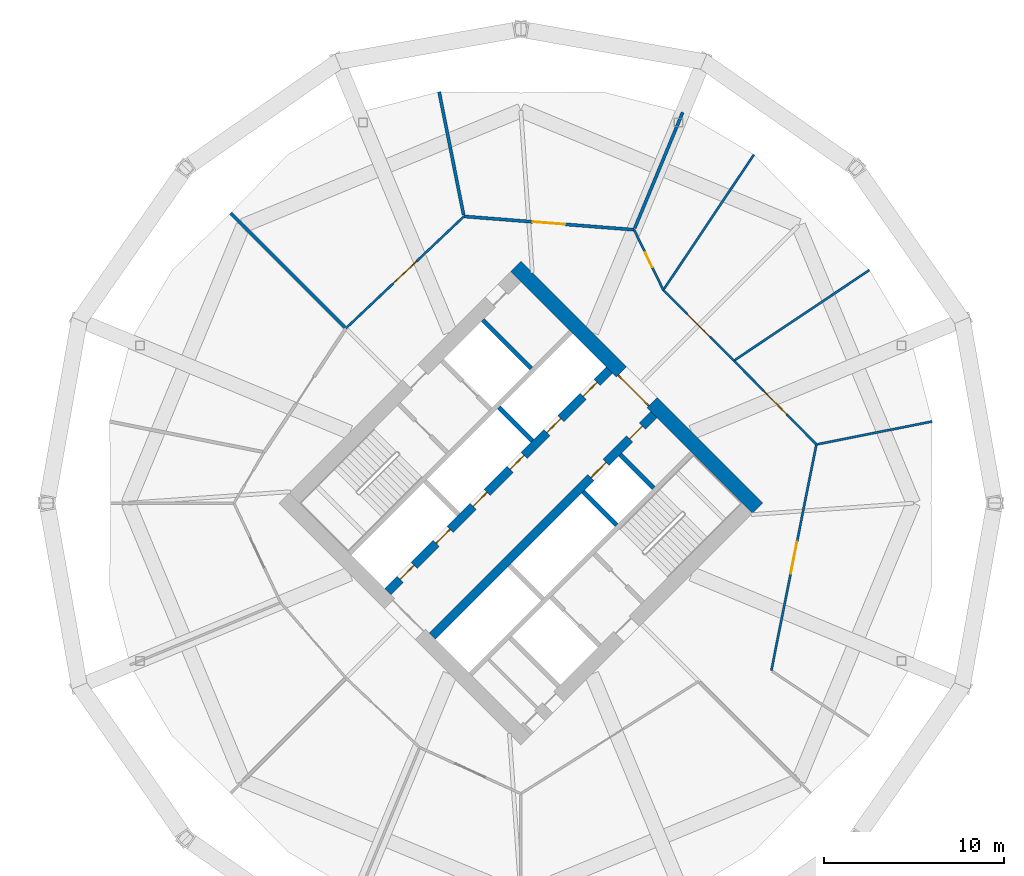
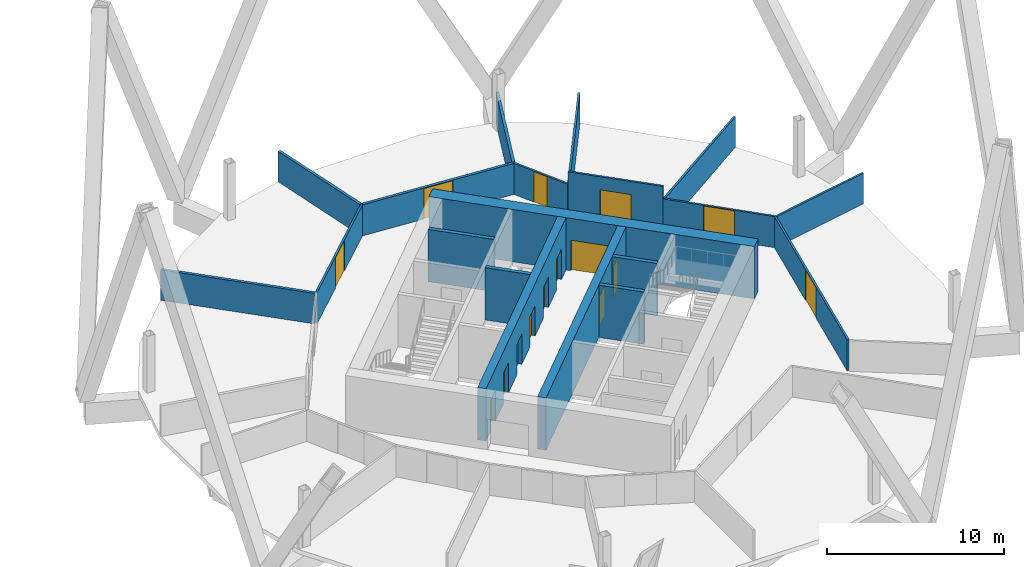
# One storey, part 7 of 9: 19 walls, 15 doors, 15 openings.
"""IFC4 building model written with IfcOpenShell, lengths in metres."""

from ifc_helpers import new_model, si_unit, direction, frame, frame_2d, origin, place, context, subcontext, project, spatial, rectangle, extrude, material, layer, layer_set, type_object, element, fill, save


model = new_model("IFC4")

# Units and contexts
model_context = context("Model", 3, precision=1e-05, world=origin(), true_north=direction((0.0, 1.0)))
body_context = subcontext(model_context, "Body", "Model", "MODEL_VIEW")
ifc_project = project(units=[si_unit("LENGTHUNIT", "METRE"), si_unit("AREAUNIT", "SQUARE_METRE"), si_unit("VOLUMEUNIT", "CUBIC_METRE"), si_unit("PLANEANGLEUNIT", "RADIAN"), si_unit("MASSUNIT", "GRAM", prefix="KILO")], contexts=[model_context])

# Site, building, storey
site_placement = place(None, origin())
site = spatial("IfcSite", under=ifc_project, at=site_placement, CompositionType="ELEMENT")
building_placement = place(site_placement, origin())
building = spatial("IfcBuilding", under=site, at=building_placement, Name="Ogive Gate Towers", CompositionType="ELEMENT")
storey_placement = place(building_placement, frame((0.0, 0.0, 51.89990234375)))
storey = spatial("IfcBuildingStorey", under=building, at=storey_placement, Name="L11", CompositionType="ELEMENT", Elevation=51.89990234375)

# Walls
ifc_material_1 = material(Name="Gypsum board acoustic partition")
ifc_layer_1 = layer(ifc_material_1, 0.175048828125)
ifc_layer_set_1 = layer_set([ifc_layer_1], Name="Acoustic partition 175")
wall_type_1 = type_object("IfcWallType", Name="Acoustic partition 175", PredefinedType="PARTITIONING", material=ifc_layer_set_1)
wall_1_placement = place(storey_placement, frame((44.992919921875, 21.711181640625, 0.0), z_axis=(0.0, 0.0, 1.0), x_axis=(-0.382672432362, -0.923884088785, 0.0)))
element("IfcWall", 1, at=wall_1_placement, inside=storey, type_object=wall_type_1, Name="Partition T2-L11-004", PredefinedType="PARTITIONING", context=body_context, shape_type="SweptSolid", body=[
    extrude(rectangle(XDim=6.97119140625, YDim=0.175048828125, at=frame_2d((3.485595703125, 0.0))), origin(), (0.0, 0.0, 1.0), 2.10009765625),
])
wall_2_placement = place(storey_placement, frame((31.4619140625, 22.853271484375, 0.0), z_axis=(0.0, 0.0, 1.0), x_axis=(0.194782491391, -0.980846461505, 0.0)))
element("IfcWall", 2, at=wall_2_placement, inside=storey, type_object=wall_type_1, Name="Partition T2-L11-005", PredefinedType="PARTITIONING", context=body_context, shape_type="SweptSolid", body=[
    extrude(rectangle(XDim=6.971435546875, YDim=0.175048828125, at=frame_2d((3.48583984375, 0.0))), origin(), (0.0, 0.0, 1.0), 2.10009765625),
])
wall_3_placement = place(storey_placement, frame((19.878662109375, 16.121337890625, 0.0), z_axis=(0.0, 0.0, 1.0), x_axis=(0.707106781187, -0.707106781187, 0.0)))
element("IfcWall", 3, at=wall_3_placement, inside=storey, type_object=wall_type_1, Name="Partition T2-L11-006", PredefinedType="PARTITIONING", context=body_context, shape_type="SweptSolid", body=[
    extrude(rectangle(XDim=8.971435546875, YDim=0.175048828125, at=frame_2d((4.48583984375, 0.0))), origin(), (0.0, 0.0, 1.0), 2.10009765625),
])

# Wall, opening, door
wall_4_placement = place(storey_placement, frame((42.291748046875, 15.189453125, 0.0), z_axis=(0.0, 0.0, 1.0), x_axis=(-0.996951230923, 0.078027195004, 0.0)))
wall_4 = element("IfcWall", 4, at=wall_4_placement, inside=storey, type_object=wall_type_1, Name="Partition T2-L11-019", PredefinedType="PARTITIONING", context=body_context, shape_type="SweptSolid", body=[
    extrude(rectangle(XDim=9.483642578125, YDim=0.175048828125, at=frame_2d((4.74169921875, 0.0))), origin(), (0.0, 0.0, 1.0), 2.14013671875),
])
opening_1_placement = place(wall_4_placement, frame((3.842041015625, 0.0, 0.0)))
opening_1 = element("IfcOpeningElement", 5, at=opening_1_placement, cuts=wall_4, Name="Opening T2-L11-D05", PredefinedType="OPENING", context=body_context, shape_type="SweptSolid", body=[
    extrude(rectangle(XDim=1.800048828125, YDim=2.10009765625, at=frame_2d((0.89990234375, 1.050048828125))), frame((0.0, 0.09765625, 0.0), z_axis=(0.0, -1.0, 0.0), x_axis=(1.0, 0.0, 0.0)), (0.0, 0.0, 1.0), 0.195068359375),
])
ifc_material_2 = material(Name="Timber door", Category="wood")
door_type_1 = type_object("IfcDoorType", Name="Door pair 1800", OperationType="NOTDEFINED", PredefinedType="DOOR", material=ifc_material_2)
door_1_placement = place(opening_1_placement, origin())
door_1 = element("IfcDoor", 6, at=door_1_placement, inside=storey, type_object=door_type_1, Name="Door T2-L11-D05", OperationType="DOUBLE_DOOR_DOUBLE_SWING", OverallHeight=2.10009765625, OverallWidth=1.800048828125, PredefinedType="DOOR", context=body_context, shape_type="SweptSolid", body=[
    extrude(rectangle(XDim=1.800048828125, YDim=2.10009765625, at=frame_2d((0.89990234375, 1.050048828125))), frame((0.0, 0.02490234375, 0.0), z_axis=(0.0, -1.0, 0.0), x_axis=(1.0, 0.0, 0.0)), (0.0, 0.0, 1.0), 0.050048828125),
])
fill(opening_1, door_1)

ifc_material_3 = material(Name="Concrete C60/75", Category="concrete")
ifc_layer_2 = layer(ifc_material_3, 0.800048828125)
ifc_layer_set_2 = layer_set([ifc_layer_2], Name="Core wall 800 mm")
wall_type_2 = type_object("IfcWallType", Name="Core wall 800 mm", PredefinedType="SHEAR", material=ifc_layer_set_2)
wall_5_placement = place(storey_placement, frame((49.152099609375, -0.28271484375, 0.0), z_axis=(0.0, 0.0, 1.0), x_axis=(-0.707106781187, 0.707106781187, 0.0)))
wall_5 = element("IfcWall", 7, at=wall_5_placement, inside=storey, type_object=wall_type_2, Name="T2 L11 Core wall 800 mm", PredefinedType="SHEAR", context=body_context, shape_type="SweptSolid", body=[
    extrude(rectangle(XDim=18.999755859375, YDim=0.800048828125, at=frame_2d((9.5, 0.0))), origin(), (0.0, 0.0, 1.0), 3.60009765625),
])
opening_2_placement = place(wall_5_placement, frame((8.300048828125, 0.0, 0.0)))
opening_2 = element("IfcOpeningElement", 8, at=opening_2_placement, cuts=wall_5, Name="Opening KD-T2-L11-02", PredefinedType="OPENING", context=body_context, shape_type="SweptSolid", body=[
    extrude(rectangle(XDim=2.39990234375, YDim=2.10009765625, at=frame_2d((1.199951171875, 1.050048828125))), frame((0.0, 0.41015625, 0.0), z_axis=(0.0, -1.0, 0.0), x_axis=(1.0, 0.0, 0.0)), (0.0, 0.0, 1.0), 0.820068359375),
])
ifc_material_4 = material(Name="Steel fire door", Category="steel")
door_type_2 = type_object("IfcDoorType", Name="Core double door FD60S 2400 x 2100", OperationType="DOUBLE_DOOR_SINGLE_SWING", PredefinedType="DOOR", material=ifc_material_4)
door_2_placement = place(opening_2_placement, origin())
door_2 = element("IfcDoor", 9, at=door_2_placement, inside=storey, type_object=door_type_2, Name="T2 L11 Core door double", OperationType="DOUBLE_DOOR_SINGLE_SWING", OverallHeight=2.10009765625, OverallWidth=2.39990234375, PredefinedType="DOOR", context=body_context, shape_type="SweptSolid", body=[
    extrude(rectangle(XDim=2.39990234375, YDim=2.10009765625, at=frame_2d((1.199951171875, 1.050048828125))), frame((0.0, 0.27490234375, 0.0), z_axis=(0.0, -1.0, 0.0), x_axis=(1.0, 0.0, 0.0)), (0.0, 0.0, 1.0), 0.050048828125),
])
fill(opening_2, door_2)

# Walls
ifc_material_5 = material(Name="Gypsum board partition")
ifc_layer_3 = layer(ifc_material_5, 0.125)
ifc_layer_set_3 = layer_set([ifc_layer_3], Name="Partition 125")
wall_type_3 = type_object("IfcWallType", Name="Partition 125", PredefinedType="PARTITIONING", material=ifc_layer_set_3)
wall_6_placement = place(storey_placement, frame((58.853271484375, 4.5380859375, 0.0), z_axis=(0.0, 0.0, 1.0), x_axis=(-0.980847162867, -0.194778959584, 0.0)))
element("IfcWall", 10, at=wall_6_placement, inside=storey, type_object=wall_type_3, Name="Partition T2-L11-001", PredefinedType="PARTITIONING", context=body_context, shape_type="SweptSolid", body=[
    extrude(rectangle(XDim=6.49658203125, YDim=0.125, at=frame_2d((3.248291015625, 0.0))), origin(), (0.0, 0.0, 1.0), 2.10009765625),
])
for number, where, z_axis, x_axis, name in (
    (11, (55.36865234375, 12.950927734375, 0.0), (0.0, 0.0, 1.0), (-0.831285496236, -0.555845683394, 0.0), "Partition T2-L11-002"),
    (12, (48.950927734375, 19.36865234375, 0.0), (0.0, 0.0, 1.0), (-0.555845683394, -0.831285496236, 0.0), "Partition T2-L11-003"),
):
    element("IfcWall", number, at=place(storey_placement, frame(where, z_axis=z_axis, x_axis=x_axis)), inside=storey, type_object=wall_type_3, Name=name, PredefinedType="PARTITIONING", context=body_context, shape_type="SweptSolid", body=[
        extrude(rectangle(XDim=8.99658203125, YDim=0.125, at=frame_2d((4.498291015625, 0.0))), origin(), (0.0, 0.0, 1.0), 2.10009765625),
    ])

# Wall, opening, door
wall_7_placement = place(storey_placement, frame((49.916259765625, -9.30517578125, 0.0), z_axis=(0.0, 0.0, 1.0), x_axis=(0.195405199442, 0.980722594841, 0.0)))
wall_7 = element("IfcWall", 13, at=wall_7_placement, inside=storey, type_object=wall_type_3, Name="Partition T2-L11-015", PredefinedType="PARTITIONING", context=body_context, shape_type="SweptSolid", body=[
    extrude(rectangle(XDim=12.812744140625, YDim=0.125, at=frame_2d((6.40625, 0.0))), origin(), (0.0, 0.0, 1.0), 2.14013671875),
])
opening_3_placement = place(wall_7_placement, frame((5.506103515625, 0.0, 0.0)))
opening_3 = element("IfcOpeningElement", 14, at=opening_3_placement, cuts=wall_7, Name="Opening T2-L11-D01", PredefinedType="OPENING", context=body_context, shape_type="SweptSolid", body=[
    extrude(rectangle(XDim=1.800048828125, YDim=2.10009765625, at=frame_2d((0.89990234375, 1.050048828125))), frame((0.0, 0.072509765625, 0.0), z_axis=(0.0, -1.0, 0.0), x_axis=(1.0, 0.0, 0.0)), (0.0, 0.0, 1.0), 0.14501953125),
])
door_3_placement = place(opening_3_placement, origin())
door_3 = element("IfcDoor", 15, at=door_3_placement, inside=storey, type_object=door_type_1, Name="Door T2-L11-D01", OperationType="DOUBLE_DOOR_DOUBLE_SWING", OverallHeight=2.10009765625, OverallWidth=1.800048828125, PredefinedType="DOOR", context=body_context, shape_type="SweptSolid", body=[
    extrude(rectangle(XDim=1.800048828125, YDim=2.10009765625, at=frame_2d((0.89990234375, 1.050048828125))), frame((0.0, 0.02490234375, 0.0), z_axis=(0.0, -1.0, 0.0), x_axis=(1.0, 0.0, 0.0)), (0.0, 0.0, 1.0), 0.050048828125),
])
fill(opening_3, door_3)

wall_8_placement = place(storey_placement, frame((52.419921875, 3.260498046875, 0.0), z_axis=(0.0, 0.0, 1.0), x_axis=(-0.701496798252, 0.712672605087, 0.0)))
wall_8 = element("IfcWall", 16, at=wall_8_placement, inside=storey, type_object=wall_type_3, Name="Partition T2-L11-016", PredefinedType="PARTITIONING", context=body_context, shape_type="SweptSolid", body=[
    extrude(rectangle(XDim=6.53173828125, YDim=0.125, at=frame_2d((3.265869140625, 0.0))), origin(), (0.0, 0.0, 1.0), 2.14013671875),
])
opening_4_placement = place(wall_8_placement, frame((2.365966796875, 0.0, 0.0)))
opening_4 = element("IfcOpeningElement", 17, at=opening_4_placement, cuts=wall_8, Name="Opening T2-L11-D02", PredefinedType="OPENING", context=body_context, shape_type="SweptSolid", body=[
    extrude(rectangle(XDim=1.800048828125, YDim=2.10009765625, at=frame_2d((0.89990234375, 1.050048828125))), frame((0.0, 0.072509765625, 0.0), z_axis=(0.0, -1.0, 0.0), x_axis=(1.0, 0.0, 0.0)), (0.0, 0.0, 1.0), 0.14501953125),
])
door_4_placement = place(opening_4_placement, origin())
door_4 = element("IfcDoor", 18, at=door_4_placement, inside=storey, type_object=door_type_1, Name="Door T2-L11-D02", OperationType="DOUBLE_DOOR_DOUBLE_SWING", OverallHeight=2.10009765625, OverallWidth=1.800048828125, PredefinedType="DOOR", context=body_context, shape_type="SweptSolid", body=[
    extrude(rectangle(XDim=1.800048828125, YDim=2.10009765625, at=frame_2d((0.89990234375, 1.050048828125))), frame((0.0, 0.02490234375, 0.0), z_axis=(0.0, -1.0, 0.0), x_axis=(1.0, 0.0, 0.0)), (0.0, 0.0, 1.0), 0.050048828125),
])
fill(opening_4, door_4)

wall_9_placement = place(storey_placement, frame((47.837890625, 7.91552734375, 0.0), z_axis=(0.0, 0.0, 1.0), x_axis=(-0.707106781187, 0.707106781187, 0.0)))
wall_9 = element("IfcWall", 19, at=wall_9_placement, inside=storey, type_object=wall_type_3, Name="Partition T2-L11-017", PredefinedType="PARTITIONING", context=body_context, shape_type="SweptSolid", body=[
    extrude(rectangle(XDim=5.547119140625, YDim=0.125, at=frame_2d((2.7734375, 0.0))), origin(), (0.0, 0.0, 1.0), 3.0),
])
opening_5_placement = place(wall_9_placement, frame((1.8740234375, 0.0, 0.0)))
opening_5 = element("IfcOpeningElement", 20, at=opening_5_placement, cuts=wall_9, Name="Opening T2-L11-D03", PredefinedType="OPENING", context=body_context, shape_type="SweptSolid", body=[
    extrude(rectangle(XDim=1.800048828125, YDim=2.10009765625, at=frame_2d((0.89990234375, 1.050048828125))), frame((0.0, 0.072509765625, 0.0), z_axis=(0.0, -1.0, 0.0), x_axis=(1.0, 0.0, 0.0)), (0.0, 0.0, 1.0), 0.14501953125),
])
door_5_placement = place(opening_5_placement, origin())
door_5 = element("IfcDoor", 21, at=door_5_placement, inside=storey, type_object=door_type_1, Name="Door T2-L11-D03", OperationType="DOUBLE_DOOR_DOUBLE_SWING", OverallHeight=2.10009765625, OverallWidth=1.800048828125, PredefinedType="DOOR", context=body_context, shape_type="SweptSolid", body=[
    extrude(rectangle(XDim=1.800048828125, YDim=2.10009765625, at=frame_2d((0.89990234375, 1.050048828125))), frame((0.0, 0.02490234375, 0.0), z_axis=(0.0, -1.0, 0.0), x_axis=(1.0, 0.0, 0.0)), (0.0, 0.0, 1.0), 0.050048828125),
])
fill(opening_5, door_5)

wall_10_placement = place(storey_placement, frame((43.91552734375, 11.837890625, 0.0), z_axis=(0.0, 0.0, 1.0), x_axis=(-0.436008098367, 0.8999427416, 0.0)))
wall_10 = element("IfcWall", 22, at=wall_10_placement, inside=storey, type_object=wall_type_3, Name="Partition T2-L11-018", PredefinedType="PARTITIONING", context=body_context, shape_type="SweptSolid", body=[
    extrude(rectangle(XDim=3.72412109375, YDim=0.125, at=frame_2d((1.862060546875, 0.0))), origin(), (0.0, 0.0, 1.0), 2.14013671875),
])
opening_6_placement = place(wall_10_placement, frame((1.412109375, 0.0, 0.0)))
opening_6 = element("IfcOpeningElement", 23, at=opening_6_placement, cuts=wall_10, Name="Opening T2-L11-D04", PredefinedType="OPENING", context=body_context, shape_type="SweptSolid", body=[
    extrude(rectangle(XDim=0.89990234375, YDim=2.10009765625, at=frame_2d((0.449951171875, 1.050048828125))), frame((0.0, 0.072509765625, 0.0), z_axis=(0.0, -1.0, 0.0), x_axis=(1.0, 0.0, 0.0)), (0.0, 0.0, 1.0), 0.14501953125),
])
door_type_3 = type_object("IfcDoorType", Name="Door 900", OperationType="NOTDEFINED", PredefinedType="DOOR", material=ifc_material_2)
door_6_placement = place(opening_6_placement, origin())
door_6 = element("IfcDoor", 24, at=door_6_placement, inside=storey, type_object=door_type_3, Name="Door T2-L11-D04", OperationType="SINGLE_SWING_RIGHT", OverallHeight=2.10009765625, OverallWidth=0.89990234375, PredefinedType="DOOR", context=body_context, shape_type="SweptSolid", body=[
    extrude(rectangle(XDim=0.89990234375, YDim=2.10009765625, at=frame_2d((0.449951171875, 1.050048828125))), frame((0.0, 0.02490234375, 0.0), z_axis=(0.0, -1.0, 0.0), x_axis=(1.0, 0.0, 0.0)), (0.0, 0.0, 1.0), 0.050048828125),
])
fill(opening_6, door_6)

wall_11_placement = place(storey_placement, frame((32.8369140625, 15.929443359375, 0.0), z_axis=(0.0, 0.0, 1.0), x_axis=(-0.725607326649, -0.688109008453, 0.0)))
wall_11 = element("IfcWall", 25, at=wall_11_placement, inside=storey, type_object=wall_type_3, Name="Partition T2-L11-020", PredefinedType="PARTITIONING", context=body_context, shape_type="SweptSolid", body=[
    extrude(rectangle(XDim=9.0302734375, YDim=0.125, at=frame_2d((4.51513671875, 0.0))), origin(), (0.0, 0.0, 1.0), 2.14013671875),
])
opening_7_placement = place(wall_11_placement, frame((3.614990234375, 0.0, 0.0)))
opening_7 = element("IfcOpeningElement", 26, at=opening_7_placement, cuts=wall_11, Name="Opening T2-L11-D06", PredefinedType="OPENING", context=body_context, shape_type="SweptSolid", body=[
    extrude(rectangle(XDim=1.800048828125, YDim=2.10009765625, at=frame_2d((0.89990234375, 1.050048828125))), frame((0.0, 0.072509765625, 0.0), z_axis=(0.0, -1.0, 0.0), x_axis=(1.0, 0.0, 0.0)), (0.0, 0.0, 1.0), 0.14501953125),
])
door_7_placement = place(opening_7_placement, origin())
door_7 = element("IfcDoor", 27, at=door_7_placement, inside=storey, type_object=door_type_1, Name="Door T2-L11-D06", OperationType="DOUBLE_DOOR_DOUBLE_SWING", OverallHeight=2.10009765625, OverallWidth=1.800048828125, PredefinedType="DOOR", context=body_context, shape_type="SweptSolid", body=[
    extrude(rectangle(XDim=1.800048828125, YDim=2.10009765625, at=frame_2d((0.89990234375, 1.050048828125))), frame((0.0, 0.02490234375, 0.0), z_axis=(0.0, -1.0, 0.0), x_axis=(1.0, 0.0, 0.0)), (0.0, 0.0, 1.0), 0.050048828125),
])
fill(opening_7, door_7)

# Walls
ifc_layer_4 = layer(ifc_material_3, 0.25)
ifc_layer_set_4 = layer_set([ifc_layer_4], Name="Shaft wall 250 mm")
wall_type_4 = type_object("IfcWallType", Name="Shaft wall 250 mm", PredefinedType="SHEAR", material=ifc_layer_set_4)
for number, where, z_axis, x_axis, name in (
    (28, (41.321044921875, -1.2197265625, 0.0), (0.0, 0.0, 1.0), (-0.707106781187, 0.707106781187, 0.0), "T2 L11 Shaft wall 250 mm"),
    (29, (36.636474609375, 3.46484375, 0.0), (0.0, 0.0, 1.0), (-0.707106781187, 0.707106781187, 0.0), "T2 L11 Shaft wall 250 mm"),
):
    element("IfcWall", number, at=place(storey_placement, frame(where, z_axis=z_axis, x_axis=x_axis)), inside=storey, type_object=wall_type_4, Name=name, PredefinedType="SHEAR", context=body_context, shape_type="SweptSolid", body=[
        extrude(rectangle(XDim=2.625, YDim=0.25, at=frame_2d((1.3125, 0.0))), origin(), (0.0, 0.0, 1.0), 3.60009765625),
    ])
wall_12_placement = place(storey_placement, frame((36.58349609375, 7.477783203125, 0.0), z_axis=(0.0, 0.0, 1.0), x_axis=(-0.707138693938, 0.707074866995, 0.0)))
element("IfcWall", 30, at=wall_12_placement, inside=storey, type_object=wall_type_4, Name="T2 L11 Shaft wall 250 mm", PredefinedType="SHEAR", context=body_context, shape_type="SweptSolid", body=[
    extrude(rectangle(XDim=3.824951171875, YDim=0.25, at=frame_2d((1.91259765625, 0.0))), origin(), (0.0, 0.0, 1.0), 3.60009765625),
])
wall_13_placement = place(storey_placement, frame((43.37158203125, 0.830810546875, 0.0), z_axis=(0.0, 0.0, 1.0), x_axis=(-0.707106781187, 0.707106781187, 0.0)))
element("IfcWall", 31, at=wall_13_placement, inside=storey, type_object=wall_type_4, Name="T2 L11 Shaft wall 250 mm", PredefinedType="SHEAR", context=body_context, shape_type="SweptSolid", body=[
    extrude(rectangle(XDim=2.625, YDim=0.25, at=frame_2d((1.3125, 0.0))), origin(), (0.0, 0.0, 1.0), 3.60009765625),
])

# Wall, openings, doors
ifc_layer_5 = layer(ifc_material_3, 0.5)
ifc_layer_set_5 = layer_set([ifc_layer_5], Name="Spine wall 500 mm")
wall_type_5 = type_object("IfcWallType", Name="Spine wall 500 mm", PredefinedType="SHEAR", material=ifc_layer_set_5)
wall_14_placement = place(storey_placement, frame((31.085693359375, -7.389404296875, 0.0), z_axis=(0.0, 0.0, 1.0), x_axis=(0.707106781187, 0.707106781187, 0.0)))
wall_14 = element("IfcWall", 32, at=wall_14_placement, inside=storey, type_object=wall_type_5, Name="T2 L11 Spine wall 500 mm", PredefinedType="SHEAR", context=body_context, shape_type="SweptSolid", body=[
    extrude(rectangle(XDim=17.400146484375, YDim=0.5, at=frame_2d((8.7001953125, 0.0))), origin(), (0.0, 0.0, 1.0), 3.60009765625),
])
opening_8_placement = place(wall_14_placement, frame((12.449951171875, 0.0, 0.0)))
opening_8 = element("IfcOpeningElement", 33, at=opening_8_placement, cuts=wall_14, Name="Opening LD-T2-L11-09", PredefinedType="OPENING", context=body_context, shape_type="SweptSolid", body=[
    extrude(rectangle(XDim=1.199951171875, YDim=2.10009765625, at=frame_2d((0.60009765625, 1.050048828125))), frame((0.0, 0.260009765625, 0.0), z_axis=(0.0, -1.0, 0.0), x_axis=(1.0, 0.0, 0.0)), (0.0, 0.0, 1.0), 0.52001953125),
])
opening_9_placement = place(wall_14_placement, frame((15.5, 0.0, 0.0)))
opening_9 = element("IfcOpeningElement", 34, at=opening_9_placement, cuts=wall_14, Name="Opening KD-T2-L11-12", PredefinedType="OPENING", context=body_context, shape_type="SweptSolid", body=[
    extrude(rectangle(XDim=1.0, YDim=2.10009765625, at=frame_2d((0.5, 1.050048828125))), frame((0.0, 0.260009765625, 0.0), z_axis=(0.0, -1.0, 0.0), x_axis=(1.0, 0.0, 0.0)), (0.0, 0.0, 1.0), 0.52001953125),
])
door_type_4 = type_object("IfcDoorType", Name="Core door FD60S 1000 x 2100", OperationType="NOTDEFINED", PredefinedType="DOOR", material=ifc_material_4)
door_8_placement = place(opening_9_placement, origin())
door_8 = element("IfcDoor", 35, at=door_8_placement, inside=storey, type_object=door_type_4, Name="T2 L11 Core door", OperationType="SINGLE_SWING_LEFT", OverallHeight=2.10009765625, OverallWidth=1.0, PredefinedType="DOOR", context=body_context, shape_type="SweptSolid", body=[
    extrude(rectangle(XDim=1.0, YDim=2.10009765625, at=frame_2d((0.5, 1.050048828125))), frame((0.0, 0.02490234375, 0.0), z_axis=(0.0, -1.0, 0.0), x_axis=(1.0, 0.0, 0.0)), (0.0, 0.0, 1.0), 0.050048828125),
])
fill(opening_9, door_8)
ifc_material_6 = material(Name="Stainless steel landing door", Category="steel")
door_type_5 = type_object("IfcDoorType", Name="Landing door 1200 x 2100", OperationType="SLIDING_TO_LEFT", PredefinedType="DOOR", material=ifc_material_6)
door_9_placement = place(opening_8_placement, origin())
door_9 = element("IfcDoor", 36, at=door_9_placement, inside=storey, type_object=door_type_5, Name="T2 L11 Lift landing door SVC", OperationType="SLIDING_TO_LEFT", OverallHeight=2.10009765625, OverallWidth=1.199951171875, PredefinedType="DOOR", context=body_context, shape_type="SweptSolid", body=[
    extrude(rectangle(XDim=1.199951171875, YDim=2.10009765625, at=frame_2d((0.60009765625, 1.050048828125))), frame((0.0, 0.02490234375, 0.0), z_axis=(0.0, -1.0, 0.0), x_axis=(1.0, 0.0, 0.0)), (0.0, 0.0, 1.0), 0.050048828125),
])
fill(opening_8, door_9)

wall_15_placement = place(storey_placement, frame((28.610595703125, -4.914306640625, 0.0), z_axis=(0.0, 0.0, 1.0), x_axis=(0.707106781187, 0.707106781187, 0.0)))
wall_15 = element("IfcWall", 37, at=wall_15_placement, inside=storey, type_object=wall_type_5, Name="T2 L11 Spine wall 500 mm", PredefinedType="SHEAR", context=body_context, shape_type="SweptSolid", body=[
    extrude(rectangle(XDim=17.400146484375, YDim=0.5, at=frame_2d((8.7001953125, 0.0))), origin(), (0.0, 0.0, 1.0), 3.60009765625),
])
opening_10_placement = place(wall_15_placement, frame((0.96240234375, 0.0, 0.0)))
opening_10 = element("IfcOpeningElement", 38, at=opening_10_placement, cuts=wall_15, Name="Opening LD-T2-L11-03", PredefinedType="OPENING", context=body_context, shape_type="SweptSolid", body=[
    extrude(rectangle(XDim=1.10009765625, YDim=2.10009765625, at=frame_2d((0.550048828125, 1.050048828125))), frame((0.0, 0.260009765625, 0.0), z_axis=(0.0, -1.0, 0.0), x_axis=(1.0, 0.0, 0.0)), (0.0, 0.0, 1.0), 0.52001953125),
])
opening_11_placement = place(wall_15_placement, frame((3.800048828125, 0.0, 0.0)))
opening_11 = element("IfcOpeningElement", 39, at=opening_11_placement, cuts=wall_15, Name="Opening LD-T2-L11-04", PredefinedType="OPENING", context=body_context, shape_type="SweptSolid", body=[
    extrude(rectangle(XDim=1.10009765625, YDim=2.10009765625, at=frame_2d((0.550048828125, 1.050048828125))), frame((0.0, 0.260009765625, 0.0), z_axis=(0.0, -1.0, 0.0), x_axis=(1.0, 0.0, 0.0)), (0.0, 0.0, 1.0), 0.52001953125),
])
opening_12_placement = place(wall_15_placement, frame((6.699951171875, 0.0, 0.0)))
opening_12 = element("IfcOpeningElement", 40, at=opening_12_placement, cuts=wall_15, Name="Opening LD-T2-L11-05", PredefinedType="OPENING", context=body_context, shape_type="SweptSolid", body=[
    extrude(rectangle(XDim=1.10009765625, YDim=2.10009765625, at=frame_2d((0.550048828125, 1.050048828125))), frame((0.0, 0.260009765625, 0.0), z_axis=(0.0, -1.0, 0.0), x_axis=(1.0, 0.0, 0.0)), (0.0, 0.0, 1.0), 0.52001953125),
])
opening_13_placement = place(wall_15_placement, frame((9.60009765625, 0.0, 0.0)))
opening_13 = element("IfcOpeningElement", 41, at=opening_13_placement, cuts=wall_15, Name="Opening LD-T2-L11-06", PredefinedType="OPENING", context=body_context, shape_type="SweptSolid", body=[
    extrude(rectangle(XDim=1.10009765625, YDim=2.10009765625, at=frame_2d((0.550048828125, 1.050048828125))), frame((0.0, 0.260009765625, 0.0), z_axis=(0.0, -1.0, 0.0), x_axis=(1.0, 0.0, 0.0)), (0.0, 0.0, 1.0), 0.52001953125),
])
opening_14_placement = place(wall_15_placement, frame((12.5, 0.0, 0.0)))
opening_14 = element("IfcOpeningElement", 42, at=opening_14_placement, cuts=wall_15, Name="Opening LD-T2-L11-07", PredefinedType="OPENING", context=body_context, shape_type="SweptSolid", body=[
    extrude(rectangle(XDim=1.10009765625, YDim=2.10009765625, at=frame_2d((0.550048828125, 1.050048828125))), frame((0.0, 0.260009765625, 0.0), z_axis=(0.0, -1.0, 0.0), x_axis=(1.0, 0.0, 0.0)), (0.0, 0.0, 1.0), 0.52001953125),
])
opening_15_placement = place(wall_15_placement, frame((15.33740234375, 0.0, 0.0)))
opening_15 = element("IfcOpeningElement", 43, at=opening_15_placement, cuts=wall_15, Name="Opening LD-T2-L11-08", PredefinedType="OPENING", context=body_context, shape_type="SweptSolid", body=[
    extrude(rectangle(XDim=1.10009765625, YDim=2.10009765625, at=frame_2d((0.550048828125, 1.050048828125))), frame((0.0, 0.260009765625, 0.0), z_axis=(0.0, -1.0, 0.0), x_axis=(1.0, 0.0, 0.0)), (0.0, 0.0, 1.0), 0.52001953125),
])
door_type_6 = type_object("IfcDoorType", Name="Landing door 1100 x 2100", OperationType="SLIDING_TO_LEFT", PredefinedType="DOOR", material=ifc_material_6)
door_10_placement = place(opening_10_placement, origin())
door_10 = element("IfcDoor", 44, at=door_10_placement, inside=storey, type_object=door_type_6, Name="T2 L11 Lift landing door A1", OperationType="SLIDING_TO_LEFT", OverallHeight=2.10009765625, OverallWidth=1.10009765625, PredefinedType="DOOR", context=body_context, shape_type="SweptSolid", body=[
    extrude(rectangle(XDim=1.10009765625, YDim=2.10009765625, at=frame_2d((0.550048828125, 1.050048828125))), frame((0.0, 0.02490234375, 0.0), z_axis=(0.0, -1.0, 0.0), x_axis=(1.0, 0.0, 0.0)), (0.0, 0.0, 1.0), 0.050048828125),
])
fill(opening_10, door_10)
door_11_placement = place(opening_11_placement, origin())
door_11 = element("IfcDoor", 45, at=door_11_placement, inside=storey, type_object=door_type_6, Name="T2 L11 Lift landing door A2", OperationType="SLIDING_TO_LEFT", OverallHeight=2.10009765625, OverallWidth=1.10009765625, PredefinedType="DOOR", context=body_context, shape_type="SweptSolid", body=[
    extrude(rectangle(XDim=1.10009765625, YDim=2.10009765625, at=frame_2d((0.550048828125, 1.050048828125))), frame((0.0, 0.02490234375, 0.0), z_axis=(0.0, -1.0, 0.0), x_axis=(1.0, 0.0, 0.0)), (0.0, 0.0, 1.0), 0.050048828125),
])
fill(opening_11, door_11)
door_12_placement = place(opening_12_placement, origin())
door_12 = element("IfcDoor", 46, at=door_12_placement, inside=storey, type_object=door_type_6, Name="T2 L11 Lift landing door A3", OperationType="SLIDING_TO_LEFT", OverallHeight=2.10009765625, OverallWidth=1.10009765625, PredefinedType="DOOR", context=body_context, shape_type="SweptSolid", body=[
    extrude(rectangle(XDim=1.10009765625, YDim=2.10009765625, at=frame_2d((0.550048828125, 1.050048828125))), frame((0.0, 0.02490234375, 0.0), z_axis=(0.0, -1.0, 0.0), x_axis=(1.0, 0.0, 0.0)), (0.0, 0.0, 1.0), 0.050048828125),
])
fill(opening_12, door_12)
door_13_placement = place(opening_13_placement, origin())
door_13 = element("IfcDoor", 47, at=door_13_placement, inside=storey, type_object=door_type_6, Name="T2 L11 Lift landing door A4", OperationType="SLIDING_TO_LEFT", OverallHeight=2.10009765625, OverallWidth=1.10009765625, PredefinedType="DOOR", context=body_context, shape_type="SweptSolid", body=[
    extrude(rectangle(XDim=1.10009765625, YDim=2.10009765625, at=frame_2d((0.550048828125, 1.050048828125))), frame((0.0, 0.02490234375, 0.0), z_axis=(0.0, -1.0, 0.0), x_axis=(1.0, 0.0, 0.0)), (0.0, 0.0, 1.0), 0.050048828125),
])
fill(opening_13, door_13)
door_14_placement = place(opening_14_placement, origin())
door_14 = element("IfcDoor", 48, at=door_14_placement, inside=storey, type_object=door_type_6, Name="T2 L11 Lift landing door A5", OperationType="SLIDING_TO_LEFT", OverallHeight=2.10009765625, OverallWidth=1.10009765625, PredefinedType="DOOR", context=body_context, shape_type="SweptSolid", body=[
    extrude(rectangle(XDim=1.10009765625, YDim=2.10009765625, at=frame_2d((0.550048828125, 1.050048828125))), frame((0.0, 0.02490234375, 0.0), z_axis=(0.0, -1.0, 0.0), x_axis=(1.0, 0.0, 0.0)), (0.0, 0.0, 1.0), 0.050048828125),
])
fill(opening_14, door_14)
door_15_placement = place(opening_15_placement, origin())
door_15 = element("IfcDoor", 49, at=door_15_placement, inside=storey, type_object=door_type_6, Name="T2 L11 Lift landing door A6", OperationType="SLIDING_TO_LEFT", OverallHeight=2.10009765625, OverallWidth=1.10009765625, PredefinedType="DOOR", context=body_context, shape_type="SweptSolid", body=[
    extrude(rectangle(XDim=1.10009765625, YDim=2.10009765625, at=frame_2d((0.550048828125, 1.050048828125))), frame((0.0, 0.02490234375, 0.0), z_axis=(0.0, -1.0, 0.0), x_axis=(1.0, 0.0, 0.0)), (0.0, 0.0, 1.0), 0.050048828125),
])
fill(opening_15, door_15)

save(model, "model.ifc")
